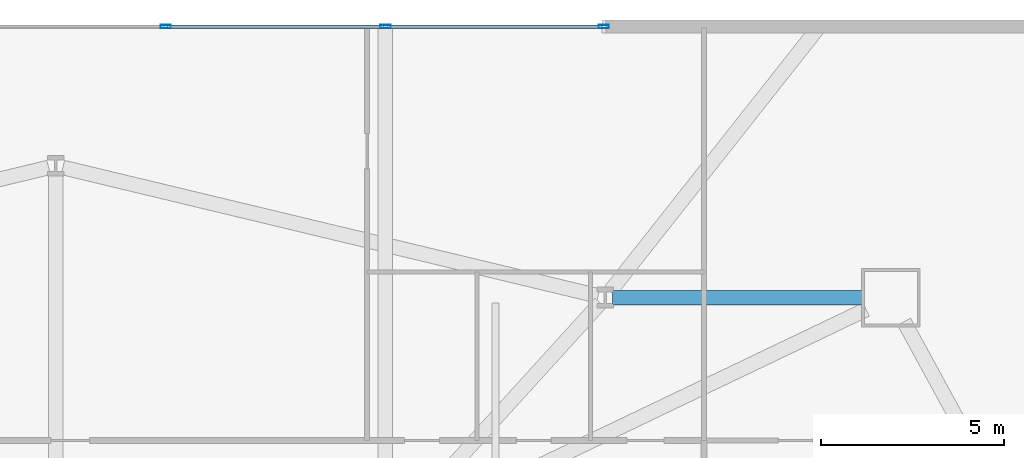
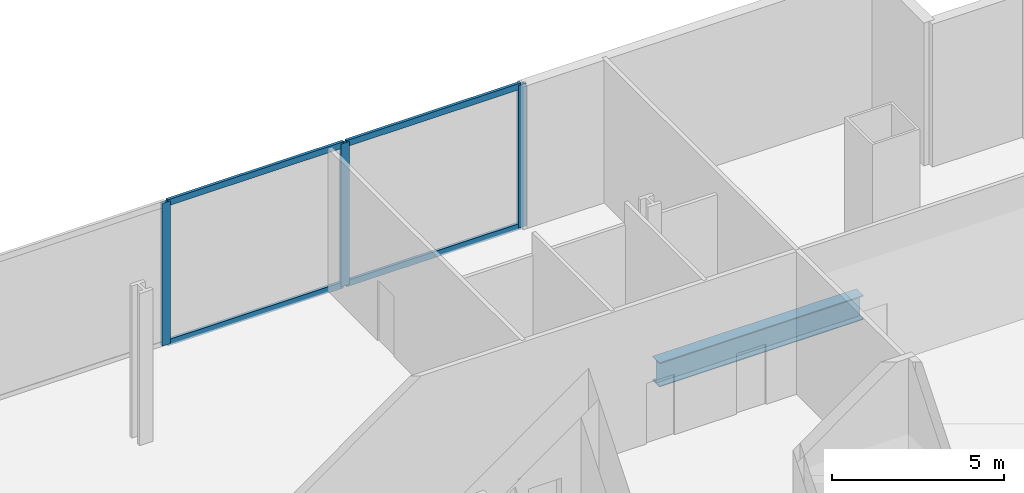
# One storey, part 8 of 20: 7 members, 1 beam, 1 element without a shape of its own.
"""IFC4 building model written with IfcOpenShell, lengths in metres."""

from ifc_helpers import new_model, si_unit, direction, frame, origin, origin_2d, place, context, subcontext, project, spatial, hollow_rectangle, i_section, extrude, material, material_profile, profile_set, type_object, element, aggregate, save


model = new_model("IFC4")

# Units and contexts
model_context = context("Model", 3, precision=1e-05, world=origin(), true_north=direction((0.0, 1.0)))
body_context = subcontext(model_context, "Body", "Model", "MODEL_VIEW")
ifc_project = project(units=[si_unit("LENGTHUNIT", "METRE"), si_unit("AREAUNIT", "SQUARE_METRE"), si_unit("VOLUMEUNIT", "CUBIC_METRE"), si_unit("PLANEANGLEUNIT", "RADIAN"), si_unit("MASSUNIT", "GRAM", prefix="KILO")], contexts=[model_context])

# Site, building, storey
site_placement = place(None, origin())
site = spatial("IfcSite", under=ifc_project, at=site_placement, CompositionType="ELEMENT")
building_placement = place(site_placement, origin())
building = spatial("IfcBuilding", under=site, at=building_placement, Name="Haldenkirk Collegiate Tower", CompositionType="ELEMENT")
storey_placement = place(building_placement, frame((0.0, 0.0, 6.0)))
storey = spatial("IfcBuildingStorey", under=building, at=storey_placement, Name="L01", CompositionType="ELEMENT", Elevation=6.0)

# Beam
ifc_material_1 = material(Name="Steel ASTM A992 Grade 50", Category="steel")
ifc_material_profile_1 = material_profile(ifc_material_1, i_section(OverallWidth=0.39990234375, OverallDepth=0.862060546875, WebThickness=0.019775390625, FlangeThickness=0.032470703125, at=origin_2d()), Name="W33X221")
ifc_profile_set_1 = profile_set([ifc_material_profile_1], Name="Steel ASTM A992 Grade 50")
beam_type = type_object("IfcBeamType", Name="BM-GIRDER-W33X221", PredefinedType="BEAM", material=ifc_profile_set_1)
beam_placement = place(storey_placement, frame((58.050048828125, 40.60009765625, -0.760986328125), z_axis=(-1.0, 0.0, 0.0), x_axis=(0.0, -1.0, 0.0)))
element("IfcBeam", 1, at=beam_placement, inside=storey, type_object=beam_type, Name="L01 podium ring girder 08", PredefinedType="BEAM", context=body_context, shape_type="SweptSolid", body=[
    extrude(i_section(OverallWidth=0.39990234375, OverallDepth=0.862060546875, WebThickness=0.019775390625, FlangeThickness=0.032470703125, at=origin_2d()), origin(), (0.0, 0.0, 1.0), 6.85009765625),
])

# Curtain wall, members
ifc_material_2 = material(Name="Anodised architectural bronze aluminium", Category="aluminium")
curtain_wall_type = type_object("IfcCurtainWallType", Name="CW-SYS3-PODIUM", PredefinedType="USERDEFINED", material=ifc_material_2)
curtain_wall_placement = place(storey_placement, origin())
curtain_wall = element("IfcCurtainWall", 2, at=curtain_wall_placement, inside=storey, type_object=curtain_wall_type, Name="L01 Podium campus concourse and library storefront curtain wall", ObjectType="UNITISED CURTAIN WALL", PredefinedType="USERDEFINED")
ifc_material_profile_2 = material_profile(ifc_material_2, hollow_rectangle(XDim=0.094970703125, YDim=0.280029296875, WallThickness=0.0048828125, at=origin_2d()), Name="CW-MUL-03")
ifc_profile_set_2 = profile_set([ifc_material_profile_2], Name="Anodised architectural bronze aluminium")
member_type_1 = type_object("IfcMemberType", Name="CW-MUL-03", PredefinedType="MULLION", material=ifc_profile_set_2)
member_1_placement = place(storey_placement, frame((39.001708984375, 48.0, 0.0), z_axis=(0.0, 0.0, 1.0), x_axis=(0.0, 1.0, 0.0)))
member_1 = element("IfcMember", 3, at=member_1_placement, type_object=member_type_1, Name="CW-03 mullion 4", PredefinedType="MULLION", context=body_context, shape_type="SweptSolid", body=[
    extrude(hollow_rectangle(XDim=0.094970703125, YDim=0.280029296875, WallThickness=0.0048828125, at=origin_2d()), origin(), (0.0, 0.0, 1.0), 5.070068359375),
])
member_2_placement = place(storey_placement, frame((45.0048828125, 48.0, 0.0), z_axis=(0.0, 0.0, 1.0), x_axis=(0.0, 1.0, 0.0)))
member_2 = element("IfcMember", 4, at=member_2_placement, type_object=member_type_1, Name="CW-03 mullion 5", PredefinedType="MULLION", context=body_context, shape_type="SweptSolid", body=[
    extrude(hollow_rectangle(XDim=0.094970703125, YDim=0.280029296875, WallThickness=0.0048828125, at=origin_2d()), origin(), (0.0, 0.0, 1.0), 5.070068359375),
])
member_3_placement = place(storey_placement, frame((50.96044921875, 48.0, 0.0), z_axis=(0.0, 0.0, 1.0), x_axis=(0.0, 1.0, 0.0)))
member_3 = element("IfcMember", 5, at=member_3_placement, type_object=member_type_1, Name="CW-03 mullion 6", PredefinedType="MULLION", context=body_context, shape_type="SweptSolid", body=[
    extrude(hollow_rectangle(XDim=0.094970703125, YDim=0.280029296875, WallThickness=0.0048828125, at=origin_2d()), origin(), (0.0, 0.0, 1.0), 5.070068359375),
])
ifc_material_profile_3 = material_profile(ifc_material_2, hollow_rectangle(XDim=0.094970703125, YDim=0.219970703125, WallThickness=0.0048828125, at=origin_2d()), Name="CW-TRN-03")
ifc_profile_set_3 = profile_set([ifc_material_profile_3], Name="Anodised architectural bronze aluminium")
member_type_2 = type_object("IfcMemberType", Name="CW-TRN-03", PredefinedType="USERDEFINED", material=ifc_profile_set_3)
member_4_placement = place(storey_placement, frame((39.049072265625, 48.0, 0.047607421875), z_axis=(1.0, 0.0, 0.0), x_axis=(0.0, 1.0, 0.0)))
member_4 = element("IfcMember", 6, at=member_4_placement, type_object=member_type_2, Name="CW-03 transom 4.1", ObjectType="TRANSOM", PredefinedType="USERDEFINED", context=body_context, shape_type="SweptSolid", body=[
    extrude(hollow_rectangle(XDim=0.094970703125, YDim=0.219970703125, WallThickness=0.0048828125, at=origin_2d()), origin(), (0.0, 0.0, 1.0), 5.908203125),
])
member_5_placement = place(storey_placement, frame((39.049072265625, 48.0, 5.0224609375), z_axis=(1.0, 0.0, 0.0), x_axis=(0.0, 1.0, 0.0)))
member_5 = element("IfcMember", 7, at=member_5_placement, type_object=member_type_2, Name="CW-03 transom 4.2", ObjectType="TRANSOM", PredefinedType="USERDEFINED", context=body_context, shape_type="SweptSolid", body=[
    extrude(hollow_rectangle(XDim=0.094970703125, YDim=0.219970703125, WallThickness=0.0048828125, at=origin_2d()), origin(), (0.0, 0.0, 1.0), 5.908203125),
])
member_6_placement = place(storey_placement, frame((45.05224609375, 48.0, 0.047607421875), z_axis=(1.0, 0.0, 0.0), x_axis=(0.0, 1.0, 0.0)))
member_6 = element("IfcMember", 8, at=member_6_placement, type_object=member_type_2, Name="CW-03 transom 5.1", ObjectType="TRANSOM", PredefinedType="USERDEFINED", context=body_context, shape_type="SweptSolid", body=[
    extrude(hollow_rectangle(XDim=0.094970703125, YDim=0.219970703125, WallThickness=0.0048828125, at=origin_2d()), origin(), (0.0, 0.0, 1.0), 5.86083984375),
])
member_7_placement = place(storey_placement, frame((45.05224609375, 48.0, 5.0224609375), z_axis=(1.0, 0.0, 0.0), x_axis=(0.0, 1.0, 0.0)))
member_7 = element("IfcMember", 9, at=member_7_placement, type_object=member_type_2, Name="CW-03 transom 5.2", ObjectType="TRANSOM", PredefinedType="USERDEFINED", context=body_context, shape_type="SweptSolid", body=[
    extrude(hollow_rectangle(XDim=0.094970703125, YDim=0.219970703125, WallThickness=0.0048828125, at=origin_2d()), origin(), (0.0, 0.0, 1.0), 5.86083984375),
])
aggregate(curtain_wall, [member_1, member_2, member_3, member_4, member_5, member_6, member_7])

save(model, "model.ifc")
